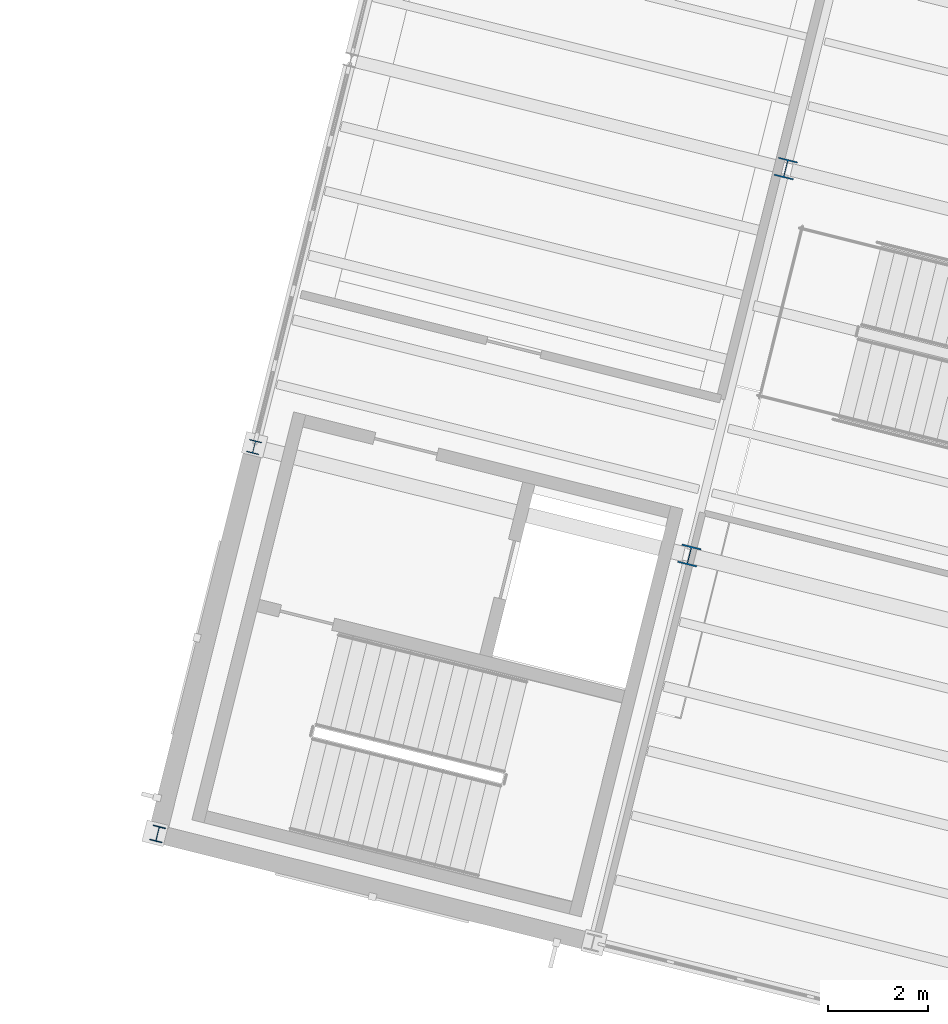
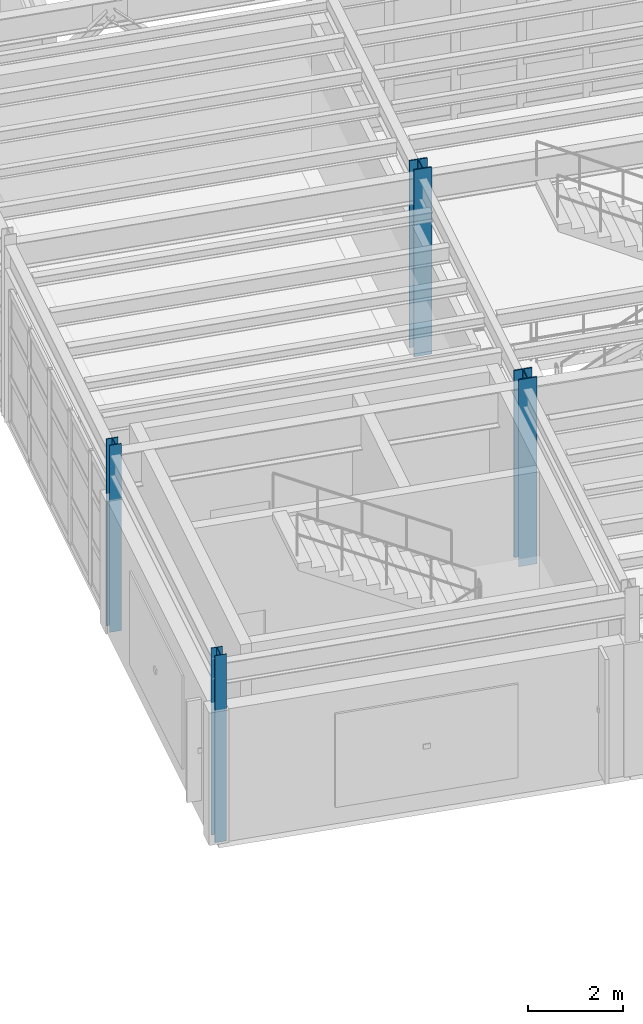
# One storey, part 4 of 102: 4 columns.
"""IFC4 building model written with IfcOpenShell, lengths in metres."""

from ifc_helpers import new_model, si_unit, direction, frame, origin, origin_2d, place, context, subcontext, project, spatial, i_section, extrude, material, material_profile, profile_set, type_object, element, save


model = new_model("IFC4")

# Units and contexts
model_context = context("Model", 3, precision=1e-05, world=origin(), true_north=direction((0.0, 1.0)))
body_context = subcontext(model_context, "Body", "Model", "MODEL_VIEW")
ifc_project = project(units=[si_unit("LENGTHUNIT", "METRE"), si_unit("AREAUNIT", "SQUARE_METRE"), si_unit("VOLUMEUNIT", "CUBIC_METRE"), si_unit("PLANEANGLEUNIT", "RADIAN"), si_unit("MASSUNIT", "GRAM", prefix="KILO")], contexts=[model_context])

# Site, building, storey
site_placement = place(None, origin())
site = spatial("IfcSite", under=ifc_project, at=site_placement, CompositionType="ELEMENT")
building_placement = place(site_placement, origin())
building = spatial("IfcBuilding", under=site, at=building_placement, Name="Vireo Bluff Cable Station", CompositionType="ELEMENT")
storey_placement = place(building_placement, frame((0.0, 0.0, 9.60009765625)))
storey = spatial("IfcBuildingStorey", under=building, at=storey_placement, Name="L02", CompositionType="ELEMENT", Elevation=9.60009765625)

# Columns
ifc_material = material(Name="Steel ASTM A992 Gr. 50", Category="steel")
ifc_material_profile_1 = material_profile(ifc_material, i_section(OverallWidth=0.39404296875, OverallDepth=0.3759765625, WebThickness=0.017333984375, FlangeThickness=0.027587890625, FilletRadius=0.014892578125, at=origin_2d()), Name="W14X145")
ifc_profile_set_1 = profile_set([ifc_material_profile_1], Name="Steel ASTM A992 Gr. 50")
column_type_1 = type_object("IfcColumnType", Name="COL-W14X145", PredefinedType="COLUMN", material=ifc_profile_set_1)
column_1_placement = place(storey_placement, frame((66.603515625, 51.347412109375, 0.0), z_axis=(0.0, 0.0, 1.0), x_axis=(0.970295726276, -0.2419218956, 0.0)))
element("IfcColumn", 1, at=column_1_placement, inside=storey, type_object=column_type_1, Name="V1 L02 column 33", PredefinedType="COLUMN", context=body_context, shape_type="SweptSolid", body=[
    extrude(i_section(OverallWidth=0.39404296875, OverallDepth=0.3759765625, WebThickness=0.017333984375, FlangeThickness=0.027587890625, FilletRadius=0.014892578125, at=origin_2d()), origin(), (0.0, 0.0, 1.0), 4.7998046875),
])
ifc_material_profile_2 = material_profile(ifc_material, i_section(OverallWidth=0.39599609375, OverallDepth=0.381103515625, WebThickness=0.018798828125, FlangeThickness=0.0302734375, FilletRadius=0.014892578125, at=origin_2d()), Name="W14X159")
ifc_profile_set_2 = profile_set([ifc_material_profile_2], Name="Steel ASTM A992 Gr. 50")
column_type_2 = type_object("IfcColumnType", Name="COL-W14X159", PredefinedType="COLUMN", material=ifc_profile_set_2)
column_2_placement = place(storey_placement, frame((64.66796875, 43.5849609375, 0.0), z_axis=(0.0, 0.0, 1.0), x_axis=(0.970295726276, -0.2419218956, 0.0)))
element("IfcColumn", 2, at=column_2_placement, inside=storey, type_object=column_type_2, Name="V1 L02 column 28", PredefinedType="COLUMN", context=body_context, shape_type="SweptSolid", body=[
    extrude(i_section(OverallWidth=0.39599609375, OverallDepth=0.381103515625, WebThickness=0.018798828125, FlangeThickness=0.0302734375, FilletRadius=0.014892578125, at=origin_2d()), origin(), (0.0, 0.0, 1.0), 4.7998046875),
])
ifc_material_profile_3 = material_profile(ifc_material, i_section(OverallWidth=0.257080078125, OverallDepth=0.263916015625, WebThickness=0.011962890625, FlangeThickness=0.01953125, FilletRadius=0.009033203125, at=origin_2d()), Name="W10X68")
ifc_profile_set_3 = profile_set([ifc_material_profile_3], Name="Steel ASTM A992 Gr. 50")
column_type_3 = type_object("IfcColumnType", Name="PIL-W10X68", PredefinedType="PILASTER", material=ifc_profile_set_3)
column_3_placement = place(storey_placement, frame((55.935302734375, 45.762451171875, 0.0), z_axis=(0.0, 0.0, 1.0), x_axis=(0.970295726276, -0.2419218956, 0.0)))
element("IfcColumn", 3, at=column_3_placement, inside=storey, type_object=column_type_3, Name="V1 L02 column 8", PredefinedType="PILASTER", context=body_context, shape_type="SweptSolid", body=[
    extrude(i_section(OverallWidth=0.257080078125, OverallDepth=0.263916015625, WebThickness=0.011962890625, FlangeThickness=0.01953125, FilletRadius=0.009033203125, at=origin_2d()), origin(), (0.0, 0.0, 1.0), 4.7998046875),
])
ifc_material_profile_4 = material_profile(ifc_material, i_section(OverallWidth=0.25390625, OverallDepth=0.305908203125, WebThickness=0.0087890625, FlangeThickness=0.0146484375, FilletRadius=0.010986328125, at=origin_2d()), Name="W12X53")
ifc_profile_set_4 = profile_set([ifc_material_profile_4], Name="Steel ASTM A992 Gr. 50")
column_type_4 = type_object("IfcColumnType", Name="PIL-W12X53", PredefinedType="PILASTER", material=ifc_profile_set_4)
column_4_placement = place(storey_placement, frame((54.0, 38.0, 0.0), z_axis=(0.0, 0.0, 1.0), x_axis=(0.970295726276, -0.2419218956, 0.0)))
element("IfcColumn", 4, at=column_4_placement, inside=storey, type_object=column_type_4, Name="V1 L02 column 3", PredefinedType="PILASTER", context=body_context, shape_type="SweptSolid", body=[
    extrude(i_section(OverallWidth=0.25390625, OverallDepth=0.305908203125, WebThickness=0.0087890625, FlangeThickness=0.0146484375, FilletRadius=0.010986328125, at=origin_2d()), origin(), (0.0, 0.0, 1.0), 4.7998046875),
])

save(model, "model.ifc")
